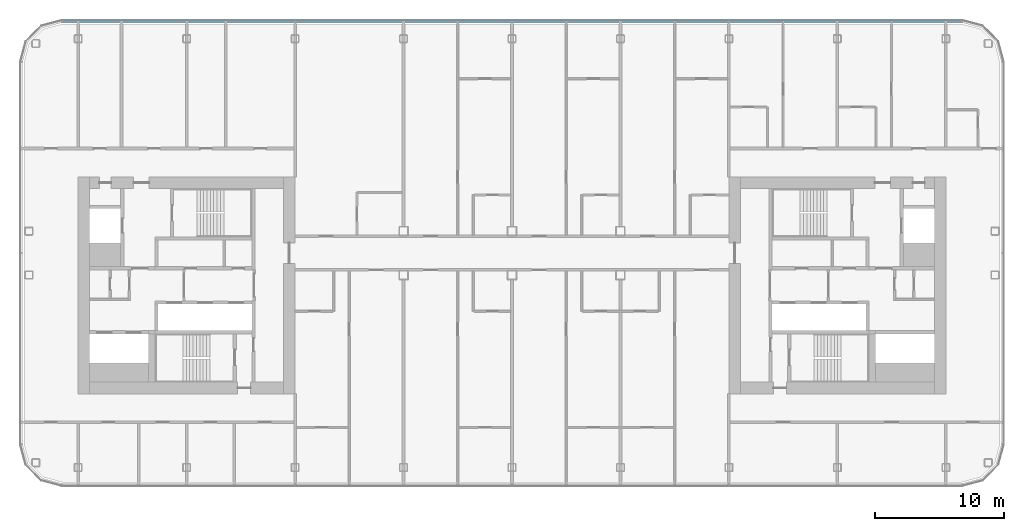
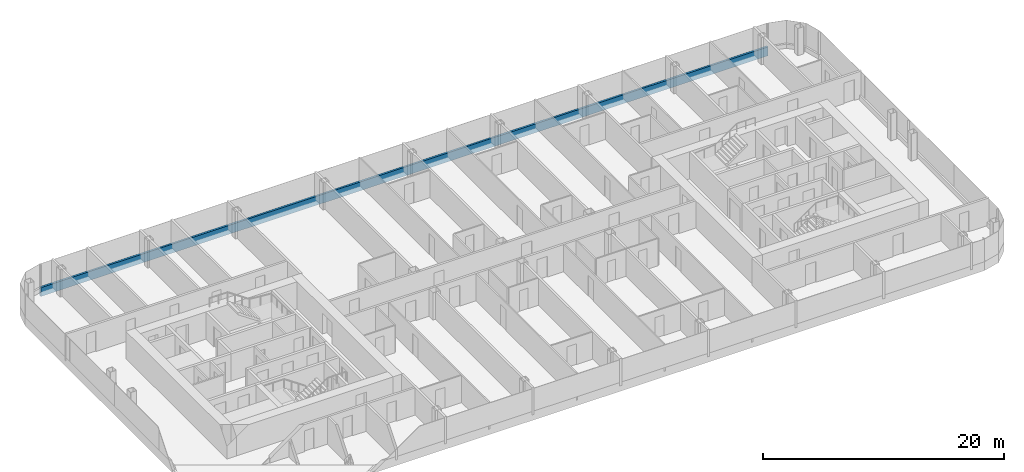
# One storey, part 8 of 26: 1 member, 1 element without a shape of its own.
"""IFC4 building model written with IfcOpenShell, lengths in metres."""

import ifcopenshell
import ifcopenshell.guid

model = None  # the IFC model being written
_history = None  # IfcOwnerHistory: only IFC2X3 demands one
_inside = {}  # id of a spatial element -> (the spatial element, [elements in it])
_under = {}  # id of a project, library or spatial element -> (it, [spatial elements below it])
_declared = {}  # id of a project -> (the project, [libraries it declares])
_typed = {}  # id of a type object -> (the type object, [elements of that type])
_made_of = {}  # id of a material, layer set ... -> (it, [elements and type objects made of it])


def new_model(schema):
    """Start an empty IFC model of exactly this schema.

    Asked for "IFC4X3", IfcOpenShell would pick the latest addendum, in which some entities
    have other attributes; the version numbers below select the first issue.
    IFC2X3 requires an IfcOwnerHistory on every rooted entity: one is made here for all.
    """
    global model, _history
    if schema == "IFC4X3":
        model = ifcopenshell.file(schema_version=(4, 3, 0, 0))
    else:
        model = ifcopenshell.file(schema=schema)
    _inside.clear()
    _under.clear()
    _declared.clear()
    _typed.clear()
    _made_of.clear()
    _history = None
    if model.schema == "IFC2X3":
        org = make("IfcOrganization", Name="unknown")
        user = make(
            "IfcPersonAndOrganization",
            ThePerson=make("IfcPerson", FamilyName="unknown"),
            TheOrganization=org,
        )
        app = make(
            "IfcApplication",
            ApplicationDeveloper=org,
            Version="unknown",
            ApplicationFullName="unknown",
            ApplicationIdentifier="unknown",
        )
        _history = make(
            "IfcOwnerHistory",
            OwningUser=user,
            OwningApplication=app,
            ChangeAction="ADDED",
            CreationDate=0,
        )
    return model


def make(cls, **values):
    """One entity of the class cls with the attributes given. An attribute that is None is left unset."""
    return model.create_entity(
        cls, **{name: value for name, value in values.items() if value is not None}
    )


def rooted(cls, **values):
    """An entity with a GlobalId (a new one), such as an element, a storey or a relation."""
    return make(cls, GlobalId=ifcopenshell.guid.new(), OwnerHistory=_history, **values)


def si_unit(unit_type, name, prefix=None):
    """IfcSIUnit, for example si_unit("LENGTHUNIT", "METRE", prefix="MILLI")."""
    return make("IfcSIUnit", UnitType=unit_type, Prefix=prefix, Name=name)


def assignment(units):
    """IfcUnitAssignment: the units of a project."""
    return None if units is None else make("IfcUnitAssignment", Units=units)


def point(xyz):
    """IfcCartesianPoint."""
    return None if xyz is None else make("IfcCartesianPoint", Coordinates=xyz)


def direction(xyz):
    """IfcDirection."""
    return None if xyz is None else make("IfcDirection", DirectionRatios=xyz)


def frame(location, z_axis=None, x_axis=None):
    """IfcAxis2Placement3D, a coordinate frame: its origin and axes. An axis left out is left unset."""
    return make(
        "IfcAxis2Placement3D",
        Location=point(location),
        Axis=direction(z_axis),
        RefDirection=direction(x_axis),
    )


def frame_2d(location, x_axis=None):
    """IfcAxis2Placement2D, a coordinate frame in the plane: its origin and x axis."""
    return make(
        "IfcAxis2Placement2D", Location=point(location), RefDirection=direction(x_axis)
    )


def origin():
    """The frame at (0, 0, 0) with its axes left unset."""
    return frame((0.0, 0.0, 0.0))


def origin_2d():
    """The frame at (0, 0) in the plane with its x axis left unset."""
    return frame_2d((0.0, 0.0))


def place(relative_to, where):
    """IfcLocalPlacement: puts the frame where relative to a parent placement (None: the world)."""
    return make(
        "IfcLocalPlacement", PlacementRelTo=relative_to, RelativePlacement=where
    )


def context(
    kind, dimensions, precision=None, world=None, true_north=None, identifier=None
):
    """IfcGeometricRepresentationContext, for example the 3D "Model" context."""
    return make(
        "IfcGeometricRepresentationContext",
        ContextIdentifier=identifier,
        ContextType=kind,
        CoordinateSpaceDimension=dimensions,
        Precision=precision,
        WorldCoordinateSystem=world,
        TrueNorth=true_north,
    )


def subcontext(parent, identifier, kind, view, scale=None):
    """IfcGeometricRepresentationSubContext, for example "Body" below "Model"."""
    return make(
        "IfcGeometricRepresentationSubContext",
        ContextIdentifier=identifier,
        ContextType=kind,
        ParentContext=parent,
        TargetScale=scale,
        TargetView=view,
    )


def project(units=None, contexts=None):
    """IfcProject with its units and contexts."""
    return rooted(
        "IfcProject",
        Name="project",
        RepresentationContexts=contexts,
        UnitsInContext=assignment(units),
    )


def spatial(cls, under=None, at=None, **own):
    """A site, building, storey or space (cls), placed at a placement, below another one or the project."""
    s = rooted(cls, ObjectPlacement=at, **own)
    if under is not None:
        _under.setdefault(under.id(), (under, []))[1].append(s)
    return s


def profile(cls, at=None, kind="AREA", **sizes):
    """A parametric profile (cls). Its sizes go by their IFC names, for example OverallWidth=200.0."""
    return make(cls, ProfileType=kind, Position=at, **sizes)


def rectangle(**sizes):
    """IfcRectangleProfileDef."""
    return profile("IfcRectangleProfileDef", **sizes)


def extrude(swept, where, along, depth):
    """IfcExtrudedAreaSolid: the profile swept, set in the frame where, extruded along a direction by depth."""
    return make(
        "IfcExtrudedAreaSolid",
        SweptArea=swept,
        Position=where,
        ExtrudedDirection=direction(along),
        Depth=depth,
    )


def shape(context_of_items, identifier, shape_type, items):
    """IfcShapeRepresentation: the items that make up one representation, for example the "Body"."""
    return make(
        "IfcShapeRepresentation",
        ContextOfItems=context_of_items,
        RepresentationIdentifier=identifier,
        RepresentationType=shape_type,
        Items=items,
    )


def material(Name=None, Category=None):
    """IfcMaterial."""
    return make("IfcMaterial", Name=Name, Category=Category)


def layer(
    of_material, thickness, ventilated=None, Name=None, Category=None, Priority=None
):
    """IfcMaterialLayer: one layer of a wall or slab, of a material (None: an air gap)."""
    return make(
        "IfcMaterialLayer",
        Material=of_material,
        LayerThickness=thickness,
        IsVentilated=ventilated,
        Name=Name,
        Category=Category,
        Priority=Priority,
    )


def layer_set(layers, Name=None):
    """IfcMaterialLayerSet."""
    return make("IfcMaterialLayerSet", MaterialLayers=layers, LayerSetName=Name)


def material_profile(
    of_material, cross_section, Name=None, Category=None, Priority=None
):
    """IfcMaterialProfile: a cross section and its material."""
    return make(
        "IfcMaterialProfile",
        Name=Name,
        Material=of_material,
        Profile=cross_section,
        Priority=Priority,
        Category=Category,
    )


def profile_set(profiles, Name=None, composite=None):
    """IfcMaterialProfileSet."""
    return make(
        "IfcMaterialProfileSet",
        Name=Name,
        MaterialProfiles=profiles,
        CompositeProfile=composite,
    )


def made_of(thing, what):
    """Note that an element or type object is made of a material, layer set ...; save() writes the relation."""
    if what is not None:
        _made_of.setdefault(what.id(), (what, []))[1].append(thing)
    return thing


def type_object(cls, material=None, **own):
    """A type object (cls), such as IfcWallType, which elements share."""
    return made_of(rooted(cls, **own), material)


def element(
    cls,
    number,
    at=None,
    inside=None,
    cuts=None,
    type_object=None,
    material=None,
    context=None,
    identifier="Body",
    shape_type=None,
    held_by="IfcProductDefinitionShape",
    body=None,
    shapes=None,
    **own,
):
    """One element of the class cls, such as IfcWall. Its Tag is "e" and its number.

    at: its placement. inside: the storey or other place that contains it. cuts: it is an
    opening in that element (IfcRelVoidsElement). A single representation is given by context,
    identifier, shape_type and body (its items); several are given by shapes. held_by: the class
    of the entity that holds the representations. save() writes the other relations.
    """
    e = rooted(cls, Tag="e%d" % number, ObjectPlacement=at, **own)
    if body is not None:
        shapes = [shape(context, identifier, shape_type, body)]
    if shapes is not None:
        e.Representation = make(held_by, Representations=shapes)
    if inside is not None:
        _inside.setdefault(inside.id(), (inside, []))[1].append(e)
    if cuts is not None:
        rooted(
            "IfcRelVoidsElement", RelatingBuildingElement=cuts, RelatedOpeningElement=e
        )
    if type_object is not None:
        _typed.setdefault(type_object.id(), (type_object, []))[1].append(e)
    return made_of(e, material)


def aggregate(whole, parts):
    """IfcRelAggregates: a whole, such as a stair, and the parts it consists of."""
    return rooted("IfcRelAggregates", RelatingObject=whole, RelatedObjects=parts)


def save(model, path):
    """Write the relations noted so far, then the file.

    IfcRelAggregates (storeys below a building ...), IfcRelContainedInSpatialStructure (elements
    in a storey), IfcRelDefinesByType, IfcRelAssociatesMaterial and IfcRelDeclares: one each for
    every whole, place, type object, material and project.
    """
    for whole, parts in _under.values():
        aggregate(whole, parts)
    for where, things in _inside.values():
        rooted(
            "IfcRelContainedInSpatialStructure",
            RelatedElements=things,
            RelatingStructure=where,
        )
    for kind, things in _typed.values():
        rooted("IfcRelDefinesByType", RelatedObjects=things, RelatingType=kind)
    for what, things in _made_of.values():
        rooted("IfcRelAssociatesMaterial", RelatedObjects=things, RelatingMaterial=what)
    for by, libraries in _declared.values():
        rooted("IfcRelDeclares", RelatingContext=by, RelatedDefinitions=libraries)
    model.write(path)


model = new_model("IFC4")

# Units and contexts
model_context = context("Model", 3, precision=1e-05, world=origin(), true_north=direction((0.0, 1.0)))
body_context = subcontext(model_context, "Body", "Model", "MODEL_VIEW")
ifc_project = project(units=[si_unit("LENGTHUNIT", "METRE"), si_unit("AREAUNIT", "SQUARE_METRE"), si_unit("VOLUMEUNIT", "CUBIC_METRE"), si_unit("PLANEANGLEUNIT", "RADIAN"), si_unit("MASSUNIT", "GRAM", prefix="KILO")], contexts=[model_context])

# Site, building, storey
site_placement = place(None, origin())
site = spatial("IfcSite", under=ifc_project, at=site_placement, CompositionType="ELEMENT")
building_placement = place(site_placement, origin())
building = spatial("IfcBuilding", under=site, at=building_placement, Name="Hakoniwa Tower and Hamabe Station Hall", CompositionType="ELEMENT")
storey_placement = place(building_placement, frame((0.0, 0.0, 215.39990234375)))
storey = spatial("IfcBuildingStorey", under=building, at=storey_placement, Name="L61", CompositionType="ELEMENT", Elevation=215.39990234375)

# Curtain wall, member
ifc_material_1 = material(Name="Dark low-e laminated glass", Category="glass")
ifc_layer = layer(ifc_material_1, 0.199951171875)
ifc_layer_set = layer_set([ifc_layer], Name="CW-1 UNITISED GUEST")
curtain_wall_type = type_object("IfcCurtainWallType", Name="CW-1 UNITISED GUEST", PredefinedType="NOTDEFINED", material=ifc_layer_set)
curtain_wall_placement = place(storey_placement, origin())
curtain_wall = element("IfcCurtainWall", 1, at=curtain_wall_placement, inside=storey, type_object=curtain_wall_type, Name="CW-1 curtain wall", PredefinedType="NOTDEFINED")
ifc_material_2 = material(Name="Aluminium 6063-T5 black anodised", Category="aluminium")
ifc_material_profile = material_profile(ifc_material_2, rectangle(XDim=0.199951171875, YDim=0.89990234375, at=origin_2d()), Name="CW SLAB-EDGE BAND 900X200")
ifc_profile_set = profile_set([ifc_material_profile], Name="Aluminium 6063-T5 black anodised")
member_type = type_object("IfcMemberType", Name="CW SLAB-EDGE BAND 900X200", PredefinedType="USERDEFINED", material=ifc_profile_set)
member_placement = place(storey_placement, frame((34.839599609375, 20.449951171875, -0.099853515625), z_axis=(-1.0, 0.0, 0.0), x_axis=(0.0, -1.0, 0.0)))
member = element("IfcMember", 2, at=member_placement, type_object=member_type, Name="CW-1 transom", ObjectType="TRANSOM", PredefinedType="USERDEFINED", context=body_context, shape_type="SweptSolid", body=[
    extrude(rectangle(XDim=0.199951171875, YDim=0.89990234375, at=origin_2d()), origin(), (0.0, 0.0, 1.0), 69.67919921875),
])
aggregate(curtain_wall, [member])

save(model, "model.ifc")
